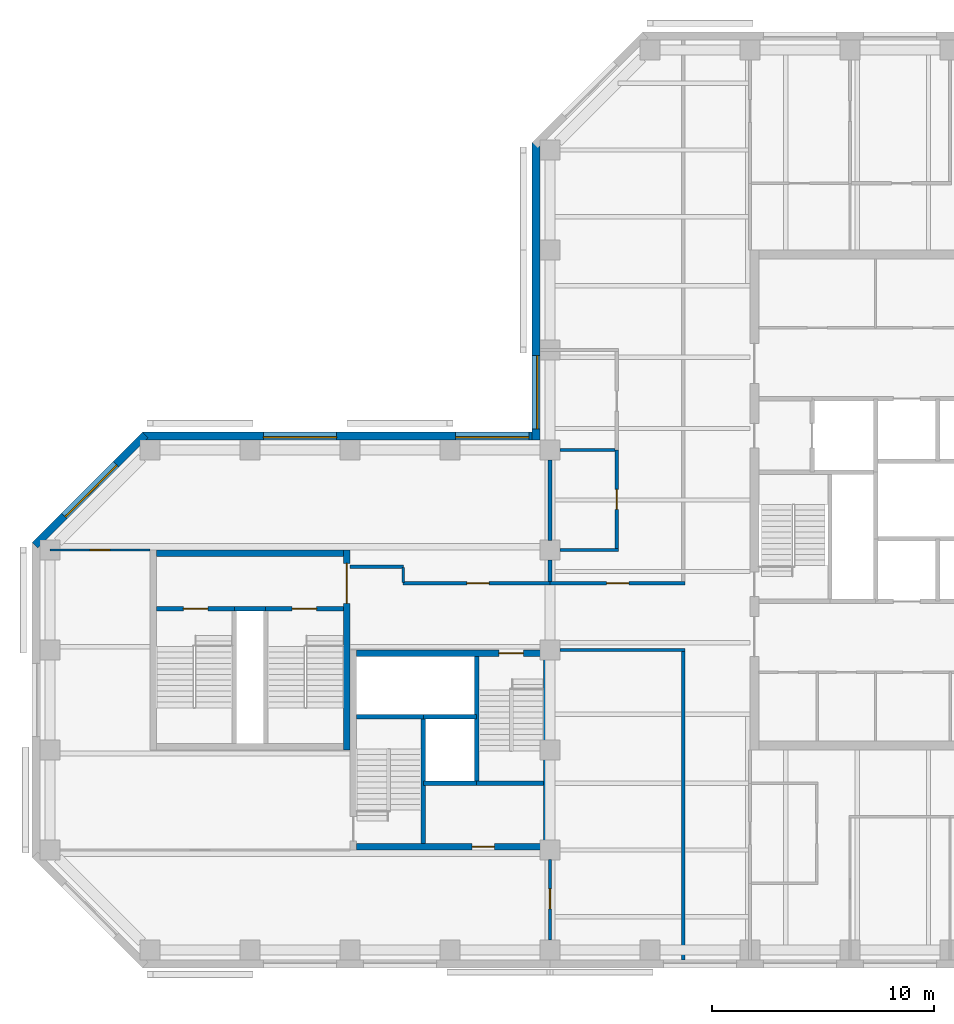
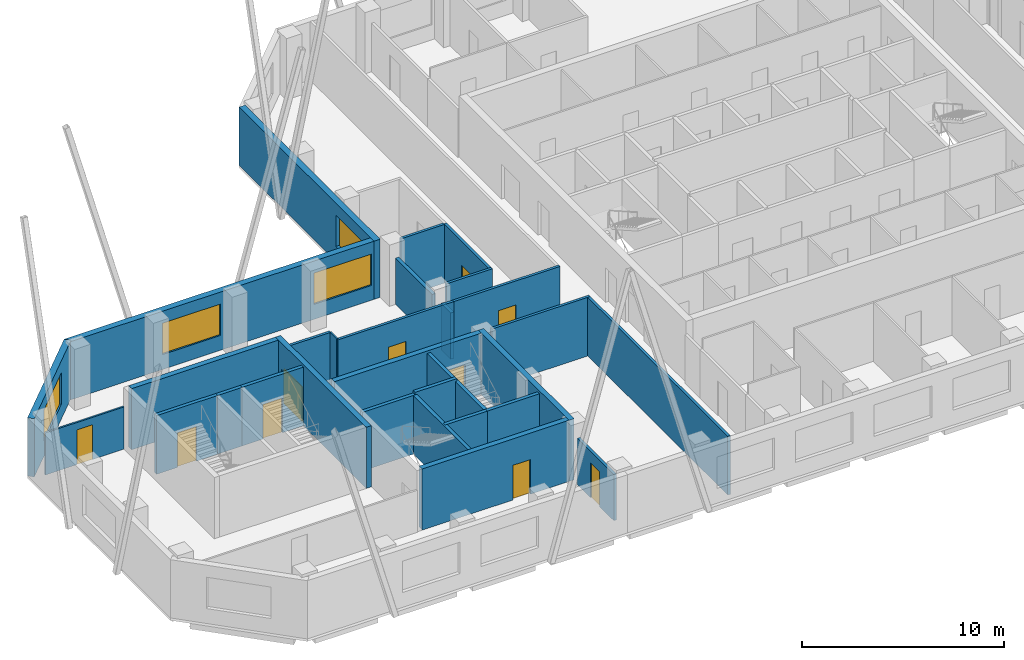
# One storey, part 3 of 9: 30 walls, 10 doors, 4 windows, 14 openings.
"""IFC4 building model written with IfcOpenShell, lengths in metres."""

from ifc_helpers import new_model, si_unit, direction, frame, frame_2d, origin, place, context, subcontext, project, spatial, rectangle, extrude, material, layer, layer_set, constituent, constituent_set, type_object, element, fill, save


model = new_model("IFC4")

# Units and contexts
model_context = context("Model", 3, precision=1e-05, world=origin(), true_north=direction((0.0, 1.0)))
body_context = subcontext(model_context, "Body", "Model", "MODEL_VIEW")
ifc_project = project(units=[si_unit("LENGTHUNIT", "METRE"), si_unit("AREAUNIT", "SQUARE_METRE"), si_unit("VOLUMEUNIT", "CUBIC_METRE"), si_unit("PLANEANGLEUNIT", "RADIAN"), si_unit("MASSUNIT", "GRAM", prefix="KILO")], contexts=[model_context])

# Site, building, storey
site_placement = place(None, origin())
site = spatial("IfcSite", under=ifc_project, at=site_placement, CompositionType="ELEMENT")
building_placement = place(site_placement, origin())
building = spatial("IfcBuilding", under=site, at=building_placement, Name="Quoin Convention Tower", CompositionType="ELEMENT")
storey_placement = place(building_placement, frame((0.0, 0.0, 203.199951171875)))
storey = spatial("IfcBuildingStorey", under=building, at=storey_placement, Name="L53", CompositionType="ELEMENT", Elevation=203.199951171875)

# Walls
ifc_material_1 = material(Name="Plasterboard")
ifc_layer_1 = layer(ifc_material_1, 0.012451171875, Name="Finish")
ifc_material_2 = material(Name="Steel stud framing", Category="steel")
ifc_layer_2 = layer(ifc_material_2, 0.125, Name="Structure")
ifc_layer_3 = layer(ifc_material_1, 0.012451171875, Name="Finish")
ifc_layer_set_1 = layer_set([ifc_layer_1, ifc_layer_2, ifc_layer_3], Name="Steel stud framing")
wall_type_1 = type_object("IfcWallType", Name="Acoustic partition 150", PredefinedType="PARTITIONING", material=ifc_layer_set_1)
wall_1_placement = place(storey_placement, frame((36.449951171875, 58.5, 0.0), z_axis=(0.0, 0.0, 1.0), x_axis=(1.0, 0.0, 0.0)))
element("IfcWall", 1, at=wall_1_placement, inside=storey, type_object=wall_type_1, Name="pw-L53-021", PredefinedType="PARTITIONING", context=body_context, shape_type="SweptSolid", body=[
    extrude(rectangle(XDim=2.625, YDim=0.14990234375, at=frame_2d((1.3125, 0.0))), origin(), (0.0, 0.0, 1.0), 3.550048828125),
])
wall_2_placement = place(storey_placement, frame((36.449951171875, 63.0, 0.0), z_axis=(0.0, 0.0, 1.0), x_axis=(1.0, 0.0, 0.0)))
element("IfcWall", 2, at=wall_2_placement, inside=storey, type_object=wall_type_1, Name="pw-L53-025", PredefinedType="PARTITIONING", context=body_context, shape_type="SweptSolid", body=[
    extrude(rectangle(XDim=2.47509765625, YDim=0.14990234375, at=frame_2d((1.237548828125, 0.0))), origin(), (0.0, 0.0, 1.0), 3.550048828125),
])

# Wall, opening, door
wall_3_placement = place(storey_placement, frame((39.0, 58.574951171875, 0.0), z_axis=(0.0, 0.0, 1.0), x_axis=(0.0, 1.0, 0.0)))
wall_3 = element("IfcWall", 3, at=wall_3_placement, inside=storey, type_object=wall_type_1, Name="pw-L53-066", PredefinedType="PARTITIONING", context=body_context, shape_type="SweptSolid", body=[
    extrude(rectangle(XDim=4.425048828125, YDim=0.14990234375, at=frame_2d((2.21240234375, 0.0))), origin(), (0.0, 0.0, 1.0), 3.550048828125),
])
opening_1_placement = place(wall_3_placement, frame((1.75, 0.0, 0.0)))
opening_1 = element("IfcOpeningElement", 4, at=opening_1_placement, cuts=wall_3, Name="Opening DOH8-20", PredefinedType="OPENING", context=body_context, shape_type="SweptSolid", body=[
    extrude(rectangle(XDim=0.89990234375, YDim=2.10009765625, at=frame_2d((0.449951171875, 1.050048828125))), frame((0.0, 0.0849609375, 0.0), z_axis=(0.0, -1.0, 0.0), x_axis=(1.0, 0.0, 0.0)), (0.0, 0.0, 1.0), 0.169921875),
])
ifc_material_3 = material(Name="Steel door leaf", Category="steel")
door_type_1 = type_object("IfcDoorType", Name="Office door 900 x 2100", OperationType="SINGLE_SWING_RIGHT", PredefinedType="DOOR", material=ifc_material_3)
door_1_placement = place(opening_1_placement, frame((0.89990234375, 0.0, 0.0), z_axis=(0.0, 0.0, 1.0), x_axis=(-1.0, 0.0, 0.0)))
door_1 = element("IfcDoor", 5, at=door_1_placement, inside=storey, type_object=door_type_1, Name="dr-L53-12", OperationType="SINGLE_SWING_LEFT", OverallHeight=2.10009765625, OverallWidth=0.89990234375, PredefinedType="DOOR", context=body_context, shape_type="SweptSolid", body=[
    extrude(rectangle(XDim=0.89990234375, YDim=2.10009765625, at=frame_2d((0.449951171875, 1.050048828125))), frame((0.0, 0.02490234375, 0.0), z_axis=(0.0, -1.0, 0.0), x_axis=(1.0, 0.0, 0.0)), (0.0, 0.0, 1.0), 0.050048828125),
])
fill(opening_1, door_1)

# Wall, opening, window
ifc_material_4 = material(Name="Brick masonry", Category="masonry")
ifc_layer_4 = layer(ifc_material_4, 0.35009765625)
ifc_layer_set_2 = layer_set([ifc_layer_4], Name="Brick masonry")
wall_type_2 = type_object("IfcWallType", Name="Brick facade wall", PredefinedType="STANDARD", material=ifc_layer_set_2)
wall_4_placement = place(storey_placement, frame((35.375, 76.831298828125, 0.0), z_axis=(0.0, 0.0, 1.0), x_axis=(0.0, -1.0, 0.0)))
wall_4 = element("IfcWall", 6, at=wall_4_placement, inside=storey, type_object=wall_type_2, Name="fw-L53-36000_76500", PredefinedType="STANDARD", context=body_context, shape_type="SweptSolid", body=[
    extrude(rectangle(XDim=13.38134765625, YDim=0.35009765625, at=frame_2d((6.690673828125, 0.0))), origin(), (0.0, 0.0, 1.0), 3.525146484375),
])
opening_2_placement = place(wall_4_placement, frame((9.581298828125, 0.0, 0.89990234375)))
opening_2 = element("IfcOpeningElement", 7, at=opening_2_placement, cuts=wall_4, Name="Opening W-02", PredefinedType="OPENING", context=body_context, shape_type="SweptSolid", body=[
    extrude(rectangle(XDim=3.300048828125, YDim=1.89990234375, at=frame_2d((1.64990234375, 0.949951171875))), frame((0.0, 0.18505859375, 0.0), z_axis=(0.0, -1.0, 0.0), x_axis=(1.0, 0.0, 0.0)), (0.0, 0.0, 1.0), 0.3701171875),
])
ifc_material_5 = material(Name="Aluminium", Category="aluminium")
ifc_constituent_1 = constituent(ifc_material_5, Name="Frame")
ifc_material_6 = material(Name="Insulated glass", Category="glass")
ifc_constituent_2 = constituent(ifc_material_6, Name="Glazing")
ifc_constituent_set = constituent_set(constituents=[ifc_constituent_1, ifc_constituent_2], Name="Aluminium")
window_type = type_object("IfcWindowType", Name="Office window", PartitioningType="DOUBLE_PANEL_VERTICAL", PredefinedType="WINDOW", material=ifc_constituent_set)
window_1_placement = place(opening_2_placement, origin())
window_1 = element("IfcWindow", 8, at=window_1_placement, inside=storey, type_object=window_type, Name="win-L53-35375_65250", OverallHeight=1.89990234375, OverallWidth=3.300048828125, PartitioningType="SINGLE_PANEL", PredefinedType="WINDOW", context=body_context, shape_type="SweptSolid", body=[
    extrude(rectangle(XDim=3.300048828125, YDim=1.89990234375, at=frame_2d((1.64990234375, 0.949951171875))), frame((0.0, 0.0849609375, 0.0), z_axis=(0.0, -1.0, 0.0), x_axis=(1.0, 0.0, 0.0)), (0.0, 0.0, 1.0), 0.06005859375),
])
fill(opening_2, window_1)

# Wall, openings, windows
wall_5_placement = place(storey_placement, frame((35.550048828125, 63.625, 0.0), z_axis=(0.0, 0.0, 1.0), x_axis=(-1.0, 0.0, 0.0)))
wall_5 = element("IfcWall", 9, at=wall_5_placement, inside=storey, type_object=wall_type_2, Name="fw-L53-36000_63000", PredefinedType="STANDARD", context=body_context, shape_type="SweptSolid", body=[
    extrude(rectangle(XDim=17.88134765625, YDim=0.35009765625, at=frame_2d((8.940673828125, 0.0))), origin(), (0.0, 0.0, 1.0), 3.525146484375),
])
opening_3_placement = place(wall_5_placement, frame((0.5, 0.0, 0.89990234375)))
opening_3 = element("IfcOpeningElement", 10, at=opening_3_placement, cuts=wall_5, Name="Opening W-02", PredefinedType="OPENING", context=body_context, shape_type="SweptSolid", body=[
    extrude(rectangle(XDim=3.300048828125, YDim=1.89990234375, at=frame_2d((1.64990234375, 0.949951171875))), frame((0.0, 0.18505859375, 0.0), z_axis=(0.0, -1.0, 0.0), x_axis=(1.0, 0.0, 0.0)), (0.0, 0.0, 1.0), 0.3701171875),
])
opening_4_placement = place(wall_5_placement, frame((9.14990234375, 0.0, 0.89990234375)))
opening_4 = element("IfcOpeningElement", 11, at=opening_4_placement, cuts=wall_5, Name="Opening W-02", PredefinedType="OPENING", context=body_context, shape_type="SweptSolid", body=[
    extrude(rectangle(XDim=3.300048828125, YDim=1.89990234375, at=frame_2d((1.64990234375, 0.949951171875))), frame((0.0, 0.18505859375, 0.0), z_axis=(0.0, -1.0, 0.0), x_axis=(1.0, 0.0, 0.0)), (0.0, 0.0, 1.0), 0.3701171875),
])
window_2_placement = place(opening_3_placement, origin())
window_2 = element("IfcWindow", 12, at=window_2_placement, inside=storey, type_object=window_type, Name="win-L53-33750_63625", OverallHeight=1.89990234375, OverallWidth=3.300048828125, PartitioningType="SINGLE_PANEL", PredefinedType="WINDOW", context=body_context, shape_type="SweptSolid", body=[
    extrude(rectangle(XDim=3.300048828125, YDim=1.89990234375, at=frame_2d((1.64990234375, 0.949951171875))), frame((0.0, 0.0849609375, 0.0), z_axis=(0.0, -1.0, 0.0), x_axis=(1.0, 0.0, 0.0)), (0.0, 0.0, 1.0), 0.06005859375),
])
fill(opening_3, window_2)
window_3_placement = place(opening_4_placement, origin())
window_3 = element("IfcWindow", 13, at=window_3_placement, inside=storey, type_object=window_type, Name="win-L53-24750_63625", OverallHeight=1.89990234375, OverallWidth=3.300048828125, PartitioningType="SINGLE_PANEL", PredefinedType="WINDOW", context=body_context, shape_type="SweptSolid", body=[
    extrude(rectangle(XDim=3.300048828125, YDim=1.89990234375, at=frame_2d((1.64990234375, 0.949951171875))), frame((0.0, 0.0849609375, 0.0), z_axis=(0.0, -1.0, 0.0), x_axis=(1.0, 0.0, 0.0)), (0.0, 0.0, 1.0), 0.06005859375),
])
fill(opening_4, window_3)

# Wall, opening, window
wall_6_placement = place(storey_placement, frame((17.79248046875, 63.67626953125, 0.0), z_axis=(0.0, 0.0, 1.0), x_axis=(-0.707106781187, -0.707106781187, 0.0)))
wall_6 = element("IfcWall", 14, at=wall_6_placement, inside=storey, type_object=wall_type_2, Name="fw-L53-18000_63000", PredefinedType="STANDARD", context=body_context, shape_type="SweptSolid", body=[
    extrude(rectangle(XDim=7.02685546875, YDim=0.35009765625, at=frame_2d((3.513427734375, 0.0))), origin(), (0.0, 0.0, 1.0), 3.525146484375),
])
opening_5_placement = place(wall_6_placement, frame((1.86328125, 0.0, 0.89990234375)))
opening_5 = element("IfcOpeningElement", 15, at=opening_5_placement, cuts=wall_6, Name="Opening W-02", PredefinedType="OPENING", context=body_context, shape_type="SweptSolid", body=[
    extrude(rectangle(XDim=3.300048828125, YDim=1.89990234375, at=frame_2d((1.64990234375, 0.949951171875))), frame((0.0, 0.18505859375, 0.0), z_axis=(0.0, -1.0, 0.0), x_axis=(1.0, 0.0, 0.0)), (0.0, 0.0, 1.0), 0.3701171875),
])
window_4_placement = place(opening_5_placement, origin())
window_4 = element("IfcWindow", 16, at=window_4_placement, inside=storey, type_object=window_type, Name="win-L53-15308_61192", OverallHeight=1.89990234375, OverallWidth=3.300048828125, PartitioningType="SINGLE_PANEL", PredefinedType="WINDOW", context=body_context, shape_type="SweptSolid", body=[
    extrude(rectangle(XDim=3.300048828125, YDim=1.89990234375, at=frame_2d((1.64990234375, 0.949951171875))), frame((0.0, 0.0849609375, 0.0), z_axis=(0.0, -1.0, 0.0), x_axis=(1.0, 0.0, 0.0)), (0.0, 0.0, 1.0), 0.06005859375),
])
fill(opening_5, window_4)

# Walls
ifc_material_7 = material(Name="Concrete C50", Category="concrete")
ifc_layer_5 = layer(ifc_material_7, 0.199951171875)
ifc_layer_set_3 = layer_set([ifc_layer_5], Name="Concrete C50")
wall_type_3 = type_object("IfcWallType", Name="Core shaft wall", PredefinedType="SOLIDWALL", material=ifc_layer_set_3)
wall_7_placement = place(storey_placement, frame((30.300048828125, 48.0, 0.0), z_axis=(0.0, 0.0, 1.0), x_axis=(1.0, 0.0, 0.0)))
element("IfcWall", 17, at=wall_7_placement, inside=storey, type_object=wall_type_3, Name="cr-P2-L53-h3000_3300", PredefinedType="SOLIDWALL", context=body_context, shape_type="SweptSolid", body=[
    extrude(rectangle(XDim=2.39990234375, YDim=0.199951171875, at=frame_2d((1.199951171875, 0.0))), origin(), (0.0, 0.0, 1.0), 3.550048828125),
])
for number, where, z_axis, x_axis, name in (
    (18, (32.699951171875, 48.0, 0.0), (0.0, 0.0, 1.0), (1.0, 0.0, 0.0), "cr-P2-L53-h3000_5700"),
    (19, (27.300048828125, 51.0, 0.0), (0.0, 0.0, 1.0), (1.0, 0.0, 0.0), "cr-P2-L53-h6000_300"),
):
    element("IfcWall", number, at=place(storey_placement, frame(where, z_axis=z_axis, x_axis=x_axis)), inside=storey, type_object=wall_type_3, Name=name, PredefinedType="SOLIDWALL", context=body_context, shape_type="SweptSolid", body=[
        extrude(rectangle(XDim=3.0, YDim=0.199951171875, at=frame_2d((1.5, 0.0))), origin(), (0.0, 0.0, 1.0), 3.550048828125),
    ])
for number, where, z_axis, x_axis, name in (
    (20, (30.300048828125, 45.300048828125, 0.0), (0.0, 0.0, 1.0), (0.0, 1.0, 0.0), "cr-P2-L53-v3300_300"),
    (21, (32.699951171875, 48.0, 0.0), (0.0, 0.0, 1.0), (0.0, 1.0, 0.0), "cr-P2-L53-v5700_3000"),
):
    element("IfcWall", number, at=place(storey_placement, frame(where, z_axis=z_axis, x_axis=x_axis)), inside=storey, type_object=wall_type_3, Name=name, PredefinedType="SOLIDWALL", context=body_context, shape_type="SweptSolid", body=[
        extrude(rectangle(XDim=5.699951171875, YDim=0.199951171875, at=frame_2d((2.85009765625, 0.0))), origin(), (0.0, 0.0, 1.0), 3.550048828125),
    ])
wall_8_placement = place(storey_placement, frame((21.800048828125, 55.85009765625, 0.0), z_axis=(0.0, 0.0, 1.0), x_axis=(1.0, 0.0, 0.0)))
element("IfcWall", 22, at=wall_8_placement, inside=storey, type_object=wall_type_3, Name="cr-P6-L53-h6350_3800", PredefinedType="SOLIDWALL", context=body_context, shape_type="SweptSolid", body=[
    extrude(rectangle(XDim=1.39990234375, YDim=0.199951171875, at=frame_2d((0.699951171875, 0.0))), origin(), (0.0, 0.0, 1.0), 3.550048828125),
])

# Wall, opening, door
wall_9_placement = place(storey_placement, frame((18.300048828125, 55.85009765625, 0.0), z_axis=(0.0, 0.0, 1.0), x_axis=(1.0, 0.0, 0.0)))
wall_9 = element("IfcWall", 23, at=wall_9_placement, inside=storey, type_object=wall_type_3, Name="cr-P6-L53-h6350_300", PredefinedType="SOLIDWALL", context=body_context, shape_type="SweptSolid", body=[
    extrude(rectangle(XDim=3.5, YDim=0.199951171875, at=frame_2d((1.75, 0.0))), origin(), (0.0, 0.0, 1.0), 3.550048828125),
])
opening_6_placement = place(wall_9_placement, frame((1.199951171875, 0.0, 0.0)))
opening_6 = element("IfcOpeningElement", 24, at=opening_6_placement, cuts=wall_9, Name="Opening SD11", PredefinedType="OPENING", context=body_context, shape_type="SweptSolid", body=[
    extrude(rectangle(XDim=1.10009765625, YDim=2.10009765625, at=frame_2d((0.550048828125, 1.050048828125))), frame((0.0, 0.10986328125, 0.0), z_axis=(0.0, -1.0, 0.0), x_axis=(1.0, 0.0, 0.0)), (0.0, 0.0, 1.0), 0.219970703125),
])
door_type_2 = type_object("IfcDoorType", Name="Stair door 1100 x 2100", OperationType="SINGLE_SWING_RIGHT", PredefinedType="DOOR", material=ifc_material_3)
door_2_placement = place(opening_6_placement, origin())
door_2 = element("IfcDoor", 25, at=door_2_placement, inside=storey, type_object=door_type_2, Name="cd-P6-L53-SA-R2-SD11", OperationType="SINGLE_SWING_RIGHT", OverallHeight=2.10009765625, OverallWidth=1.10009765625, PredefinedType="DOOR", context=body_context, shape_type="SweptSolid", body=[
    extrude(rectangle(XDim=1.10009765625, YDim=2.10009765625, at=frame_2d((0.550048828125, 1.050048828125))), frame((0.0, 0.02490234375, 0.0), z_axis=(0.0, -1.0, 0.0), x_axis=(1.0, 0.0, 0.0)), (0.0, 0.0, 1.0), 0.050048828125),
])
fill(opening_6, door_2)

wall_10_placement = place(storey_placement, frame((23.199951171875, 55.85009765625, 0.0), z_axis=(0.0, 0.0, 1.0), x_axis=(1.0, 0.0, 0.0)))
wall_10 = element("IfcWall", 26, at=wall_10_placement, inside=storey, type_object=wall_type_3, Name="cr-P6-L53-h6350_5200", PredefinedType="SOLIDWALL", context=body_context, shape_type="SweptSolid", body=[
    extrude(rectangle(XDim=3.5, YDim=0.199951171875, at=frame_2d((1.75, 0.0))), origin(), (0.0, 0.0, 1.0), 3.550048828125),
])
opening_7_placement = place(wall_10_placement, frame((1.199951171875, 0.0, 0.0)))
opening_7 = element("IfcOpeningElement", 27, at=opening_7_placement, cuts=wall_10, Name="Opening SD12", PredefinedType="OPENING", context=body_context, shape_type="SweptSolid", body=[
    extrude(rectangle(XDim=1.10009765625, YDim=2.10009765625, at=frame_2d((0.550048828125, 1.050048828125))), frame((0.0, 0.10986328125, 0.0), z_axis=(0.0, -1.0, 0.0), x_axis=(1.0, 0.0, 0.0)), (0.0, 0.0, 1.0), 0.219970703125),
])
door_3_placement = place(opening_7_placement, origin())
door_3 = element("IfcDoor", 28, at=door_3_placement, inside=storey, type_object=door_type_2, Name="cd-P6-L53-SB-R2-SD12", OperationType="SINGLE_SWING_RIGHT", OverallHeight=2.10009765625, OverallWidth=1.10009765625, PredefinedType="DOOR", context=body_context, shape_type="SweptSolid", body=[
    extrude(rectangle(XDim=1.10009765625, YDim=2.10009765625, at=frame_2d((0.550048828125, 1.050048828125))), frame((0.0, 0.02490234375, 0.0), z_axis=(0.0, -1.0, 0.0), x_axis=(1.0, 0.0, 0.0)), (0.0, 0.0, 1.0), 0.050048828125),
])
fill(opening_7, door_3)

# Walls
ifc_layer_6 = layer(ifc_material_7, 0.199951171875)
ifc_layer_set_4 = layer_set([ifc_layer_6], Name="Concrete C50")
wall_type_4 = type_object("IfcWallType", Name="Core shaft wall to the floor level over", PredefinedType="SOLIDWALL", material=ifc_layer_set_4)
wall_11_placement = place(storey_placement, frame((30.300048828125, 51.0, 0.0), z_axis=(0.0, 0.0, 1.0), x_axis=(1.0, 0.0, 0.0)))
element("IfcWall", 29, at=wall_11_placement, inside=storey, type_object=wall_type_4, Name="cr-P2-L53-h6000_3300", PredefinedType="SOLIDWALL", context=body_context, shape_type="SweptSolid", body=[
    extrude(rectangle(XDim=2.39990234375, YDim=0.199951171875, at=frame_2d((1.199951171875, 0.0))), origin(), (0.0, 0.0, 1.0), 3.699951171875),
])
ifc_layer_7 = layer(ifc_material_1, 0.012451171875, Name="Finish")
ifc_layer_8 = layer(ifc_material_2, 0.125, Name="Structure")
ifc_layer_9 = layer(ifc_material_1, 0.012451171875, Name="Finish")
ifc_layer_set_5 = layer_set([ifc_layer_7, ifc_layer_8, ifc_layer_9], Name="Steel stud framing")
wall_type_5 = type_object("IfcWallType", Name="Corridor wall 150", PredefinedType="PARTITIONING", material=ifc_layer_set_5)
wall_12_placement = place(storey_placement, frame((36.449951171875, 54.0, 0.0), z_axis=(0.0, 0.0, 1.0), x_axis=(1.0, 0.0, 0.0)))
element("IfcWall", 30, at=wall_12_placement, inside=storey, type_object=wall_type_5, Name="pw-L53-017", PredefinedType="PARTITIONING", context=body_context, shape_type="SweptSolid", body=[
    extrude(rectangle(XDim=5.625, YDim=0.14990234375, at=frame_2d((2.8125, 0.0))), origin(), (0.0, 0.0, 1.0), 3.550048828125),
])

# Wall, opening, door
wall_13_placement = place(storey_placement, frame((29.3798828125, 57.0, 0.0), z_axis=(0.0, 0.0, 1.0), x_axis=(1.0, 0.0, 0.0)))
wall_13 = element("IfcWall", 31, at=wall_13_placement, inside=storey, type_object=wall_type_5, Name="pw-L53-019", PredefinedType="PARTITIONING", context=body_context, shape_type="SweptSolid", body=[
    extrude(rectangle(XDim=6.6201171875, YDim=0.14990234375, at=frame_2d((3.31005859375, 0.0))), origin(), (0.0, 0.0, 1.0), 3.550048828125),
])
opening_8_placement = place(wall_13_placement, frame((2.8798828125, 0.0, 0.0)))
opening_8 = element("IfcOpeningElement", 32, at=opening_8_placement, cuts=wall_13, Name="Opening DOH8-05", PredefinedType="OPENING", context=body_context, shape_type="SweptSolid", body=[
    extrude(rectangle(XDim=1.0, YDim=2.10009765625, at=frame_2d((0.5, 1.050048828125))), frame((0.0, 0.0849609375, 0.0), z_axis=(0.0, -1.0, 0.0), x_axis=(1.0, 0.0, 0.0)), (0.0, 0.0, 1.0), 0.169921875),
])
door_type_3 = type_object("IfcDoorType", Name="Tenancy entrance door 1000 x 2100", OperationType="DOUBLE_DOOR_SINGLE_SWING", PredefinedType="DOOR", material=ifc_material_3)
door_4_placement = place(opening_8_placement, origin())
door_4 = element("IfcDoor", 33, at=door_4_placement, inside=storey, type_object=door_type_3, Name="dr-L53-w01", OperationType="DOUBLE_DOOR_SINGLE_SWING", OverallHeight=2.10009765625, OverallWidth=1.0, PredefinedType="DOOR", context=body_context, shape_type="SweptSolid", body=[
    extrude(rectangle(XDim=1.0, YDim=2.10009765625, at=frame_2d((0.5, 1.050048828125))), frame((0.0, 0.02490234375, 0.0), z_axis=(0.0, -1.0, 0.0), x_axis=(1.0, 0.0, 0.0)), (0.0, 0.0, 1.0), 0.050048828125),
])
fill(opening_8, door_4)

wall_14_placement = place(storey_placement, frame((36.0, 57.0, 0.0), z_axis=(0.0, 0.0, 1.0), x_axis=(1.0, 0.0, 0.0)))
wall_14 = element("IfcWall", 34, at=wall_14_placement, inside=storey, type_object=wall_type_5, Name="pw-L53-020", PredefinedType="PARTITIONING", context=body_context, shape_type="SweptSolid", body=[
    extrude(rectangle(XDim=6.074951171875, YDim=0.14990234375, at=frame_2d((3.03759765625, 0.0))), origin(), (0.0, 0.0, 1.0), 3.550048828125),
])
opening_9_placement = place(wall_14_placement, frame((2.550048828125, 0.0, 0.0)))
opening_9 = element("IfcOpeningElement", 35, at=opening_9_placement, cuts=wall_14, Name="Opening DOH8-06", PredefinedType="OPENING", context=body_context, shape_type="SweptSolid", body=[
    extrude(rectangle(XDim=1.0, YDim=2.10009765625, at=frame_2d((0.5, 1.050048828125))), frame((0.0, 0.0849609375, 0.0), z_axis=(0.0, -1.0, 0.0), x_axis=(1.0, 0.0, 0.0)), (0.0, 0.0, 1.0), 0.169921875),
])
door_5_placement = place(opening_9_placement, origin())
door_5 = element("IfcDoor", 36, at=door_5_placement, inside=storey, type_object=door_type_3, Name="dr-L53-11", OperationType="DOUBLE_DOOR_SINGLE_SWING", OverallHeight=2.10009765625, OverallWidth=1.0, PredefinedType="DOOR", context=body_context, shape_type="SweptSolid", body=[
    extrude(rectangle(XDim=1.0, YDim=2.10009765625, at=frame_2d((0.5, 1.050048828125))), frame((0.0, 0.02490234375, 0.0), z_axis=(0.0, -1.0, 0.0), x_axis=(1.0, 0.0, 0.0)), (0.0, 0.0, 1.0), 0.050048828125),
])
fill(opening_9, door_5)

# Walls
wall_15_placement = place(storey_placement, frame((42.0, 40.050048828125, 0.0), z_axis=(0.0, 0.0, 1.0), x_axis=(0.0, 1.0, 0.0)))
element("IfcWall", 37, at=wall_15_placement, inside=storey, type_object=wall_type_5, Name="pw-L53-038", PredefinedType="PARTITIONING", context=body_context, shape_type="SweptSolid", body=[
    extrude(rectangle(XDim=13.875, YDim=0.14990234375, at=frame_2d((6.9375, 0.0))), origin(), (0.0, 0.0, 1.0), 3.550048828125),
])
wall_16_placement = place(storey_placement, frame((27.0, 57.75, 0.0), z_axis=(0.0, 0.0, 1.0), x_axis=(1.0, 0.0, 0.0)))
element("IfcWall", 38, at=wall_16_placement, inside=storey, type_object=wall_type_5, Name="pw-L53-w03", PredefinedType="PARTITIONING", context=body_context, shape_type="SweptSolid", body=[
    extrude(rectangle(XDim=2.39990234375, YDim=0.14990234375, at=frame_2d((1.199951171875, 0.0))), origin(), (0.0, 0.0, 1.0), 3.550048828125),
])

# Wall, opening, door
ifc_layer_10 = layer(ifc_material_1, 0.012451171875, Name="Finish")
ifc_layer_11 = layer(ifc_material_2, 0.125, Name="Structure")
ifc_layer_12 = layer(ifc_material_1, 0.012451171875, Name="Finish")
ifc_layer_set_6 = layer_set([ifc_layer_10, ifc_layer_11, ifc_layer_12], Name="Steel stud framing")
wall_type_6 = type_object("IfcWallType", Name="Corridor wall 150 under beam 750", PredefinedType="PARTITIONING", material=ifc_layer_set_6)
wall_17_placement = place(storey_placement, frame((36.0, 40.949951171875, 0.0), z_axis=(0.0, 0.0, 1.0), x_axis=(0.0, 1.0, 0.0)))
wall_17 = element("IfcWall", 39, at=wall_17_placement, inside=storey, type_object=wall_type_6, Name="pw-L53-046", PredefinedType="PARTITIONING", context=body_context, shape_type="SweptSolid", body=[
    extrude(rectangle(XDim=3.630126953125, YDim=0.14990234375, at=frame_2d((1.81494140625, 0.0))), origin(), (0.0, 0.0, 1.0), 2.800048828125),
])
opening_10_placement = place(wall_17_placement, frame((1.39990234375, 0.0, 0.0)))
opening_10 = element("IfcOpeningElement", 40, at=opening_10_placement, cuts=wall_17, Name="Opening DOH8-12", PredefinedType="OPENING", context=body_context, shape_type="SweptSolid", body=[
    extrude(rectangle(XDim=0.89990234375, YDim=2.10009765625, at=frame_2d((0.449951171875, 1.050048828125))), frame((0.0, 0.0849609375, 0.0), z_axis=(0.0, -1.0, 0.0), x_axis=(1.0, 0.0, 0.0)), (0.0, 0.0, 1.0), 0.169921875),
])
door_6_placement = place(opening_10_placement, origin())
door_6 = element("IfcDoor", 41, at=door_6_placement, inside=storey, type_object=door_type_1, Name="dr-L53-01", OperationType="SINGLE_SWING_RIGHT", OverallHeight=2.10009765625, OverallWidth=0.89990234375, PredefinedType="DOOR", context=body_context, shape_type="SweptSolid", body=[
    extrude(rectangle(XDim=0.89990234375, YDim=2.10009765625, at=frame_2d((0.449951171875, 1.050048828125))), frame((0.0, 0.02490234375, 0.0), z_axis=(0.0, -1.0, 0.0), x_axis=(1.0, 0.0, 0.0)), (0.0, 0.0, 1.0), 0.050048828125),
])
fill(opening_10, door_6)

ifc_layer_13 = layer(ifc_material_7, 0.300048828125)
ifc_layer_set_7 = layer_set([ifc_layer_13], Name="Concrete C50")
wall_type_7 = type_object("IfcWallType", Name="RC CORE WALL 300 C50", PredefinedType="SHEAR", material=ifc_layer_set_7)
wall_18_placement = place(storey_placement, frame((27.300048828125, 45.14990234375, 0.0), z_axis=(0.0, 0.0, 1.0), x_axis=(1.0, 0.0, 0.0)))
wall_18 = element("IfcWall", 42, at=wall_18_placement, inside=storey, type_object=wall_type_7, Name="cwl-P2-L53-S", PredefinedType="SHEAR", context=body_context, shape_type="SweptSolid", body=[
    extrude(rectangle(XDim=8.39990234375, YDim=0.300048828125, at=frame_2d((4.199951171875, 0.0))), origin(), (0.0, 0.0, 1.0), 3.699951171875),
])
opening_11_placement = place(wall_18_placement, frame((5.199951171875, 0.0, 0.0)))
opening_11 = element("IfcOpeningElement", 43, at=opening_11_placement, cuts=wall_18, Name="Opening DCV0-60", PredefinedType="OPENING", context=body_context, shape_type="SweptSolid", body=[
    extrude(rectangle(XDim=1.0, YDim=2.10009765625, at=frame_2d((0.5, 1.050048828125))), frame((0.0, 0.159912109375, 0.0), z_axis=(0.0, -1.0, 0.0), x_axis=(1.0, 0.0, 0.0)), (0.0, 0.0, 1.0), 0.320068359375),
])
door_type_4 = type_object("IfcDoorType", Name="Service door 1000 x 2100", OperationType="SINGLE_SWING_LEFT", PredefinedType="DOOR", material=ifc_material_3)
door_7_placement = place(opening_11_placement, frame((1.0, 0.0, 0.0), z_axis=(0.0, 0.0, 1.0), x_axis=(-1.0, 0.0, 0.0)))
door_7 = element("IfcDoor", 44, at=door_7_placement, inside=storey, type_object=door_type_4, Name="cd-P2-L53-R2-S", OperationType="SINGLE_SWING_LEFT", OverallHeight=2.10009765625, OverallWidth=1.0, PredefinedType="DOOR", context=body_context, shape_type="SweptSolid", body=[
    extrude(rectangle(XDim=1.0, YDim=2.10009765625, at=frame_2d((0.5, 1.050048828125))), frame((0.0, 0.02490234375, 0.0), z_axis=(0.0, -1.0, 0.0), x_axis=(1.0, 0.0, 0.0)), (0.0, 0.0, 1.0), 0.050048828125),
])
fill(opening_11, door_7)

wall_19_placement = place(storey_placement, frame((27.300048828125, 53.85009765625, 0.0), z_axis=(0.0, 0.0, 1.0), x_axis=(1.0, 0.0, 0.0)))
wall_19 = element("IfcWall", 45, at=wall_19_placement, inside=storey, type_object=wall_type_7, Name="cwl-P2-L53-N", PredefinedType="SHEAR", context=body_context, shape_type="SweptSolid", body=[
    extrude(rectangle(XDim=8.39990234375, YDim=0.300048828125, at=frame_2d((4.199951171875, 0.0))), origin(), (0.0, 0.0, 1.0), 3.699951171875),
])
opening_12_placement = place(wall_19_placement, frame((6.39990234375, 0.0, 0.0)))
opening_12 = element("IfcOpeningElement", 46, at=opening_12_placement, cuts=wall_19, Name="Opening SD4", PredefinedType="OPENING", context=body_context, shape_type="SweptSolid", body=[
    extrude(rectangle(XDim=1.10009765625, YDim=2.10009765625, at=frame_2d((0.550048828125, 1.050048828125))), frame((0.0, 0.159912109375, 0.0), z_axis=(0.0, -1.0, 0.0), x_axis=(1.0, 0.0, 0.0)), (0.0, 0.0, 1.0), 0.320068359375),
])
door_8_placement = place(opening_12_placement, frame((1.10009765625, 0.0, 0.0), z_axis=(0.0, 0.0, 1.0), x_axis=(-1.0, 0.0, 0.0)))
door_8 = element("IfcDoor", 47, at=door_8_placement, inside=storey, type_object=door_type_2, Name="cd-P2-L53-SB-N", OperationType="SINGLE_SWING_LEFT", OverallHeight=2.10009765625, OverallWidth=1.10009765625, PredefinedType="DOOR", context=body_context, shape_type="SweptSolid", body=[
    extrude(rectangle(XDim=1.10009765625, YDim=2.10009765625, at=frame_2d((0.550048828125, 1.050048828125))), frame((0.0, 0.02490234375, 0.0), z_axis=(0.0, -1.0, 0.0), x_axis=(1.0, 0.0, 0.0)), (0.0, 0.0, 1.0), 0.050048828125),
])
fill(opening_12, door_8)

# Walls
wall_20_placement = place(storey_placement, frame((35.85009765625, 45.0, 0.0), z_axis=(0.0, 0.0, 1.0), x_axis=(0.0, 1.0, 0.0)))
element("IfcWall", 48, at=wall_20_placement, inside=storey, type_object=wall_type_7, Name="cwl-P2-L53-E", PredefinedType="SHEAR", context=body_context, shape_type="SweptSolid", body=[
    extrude(rectangle(XDim=9.0, YDim=0.300048828125, at=frame_2d((4.5, 0.0))), origin(), (0.0, 0.0, 1.0), 3.699951171875),
])
wall_21_placement = place(storey_placement, frame((18.300048828125, 58.35009765625, 0.0), z_axis=(0.0, 0.0, 1.0), x_axis=(1.0, 0.0, 0.0)))
element("IfcWall", 49, at=wall_21_placement, inside=storey, type_object=wall_type_7, Name="cwl-P6-L53-N", PredefinedType="SHEAR", context=body_context, shape_type="SweptSolid", body=[
    extrude(rectangle(XDim=8.39990234375, YDim=0.300048828125, at=frame_2d((4.199951171875, 0.0))), origin(), (0.0, 0.0, 1.0), 3.699951171875),
])

# Wall, opening, door
wall_22_placement = place(storey_placement, frame((26.85009765625, 49.5, 0.0), z_axis=(0.0, 0.0, 1.0), x_axis=(0.0, 1.0, 0.0)))
wall_22 = element("IfcWall", 50, at=wall_22_placement, inside=storey, type_object=wall_type_7, Name="cwl-P6-L53-E", PredefinedType="SHEAR", context=body_context, shape_type="SweptSolid", body=[
    extrude(rectangle(XDim=9.0, YDim=0.300048828125, at=frame_2d((4.5, 0.0))), origin(), (0.0, 0.0, 1.0), 3.699951171875),
])
opening_13_placement = place(wall_22_placement, frame((6.60009765625, 0.0, 0.0)))
opening_13 = element("IfcOpeningElement", 51, at=opening_13_placement, cuts=wall_22, Name="Opening DCV0-64", PredefinedType="OPENING", context=body_context, shape_type="SweptSolid", body=[
    extrude(rectangle(XDim=1.800048828125, YDim=2.10009765625, at=frame_2d((0.89990234375, 1.050048828125))), frame((0.0, 0.159912109375, 0.0), z_axis=(0.0, -1.0, 0.0), x_axis=(1.0, 0.0, 0.0)), (0.0, 0.0, 1.0), 0.320068359375),
])
door_type_5 = type_object("IfcDoorType", Name="Goods lobby door 1800 x 2100", OperationType="SINGLE_SWING_LEFT", PredefinedType="DOOR", material=ifc_material_3)
door_9_placement = place(opening_13_placement, origin())
door_9 = element("IfcDoor", 52, at=door_9_placement, inside=storey, type_object=door_type_5, Name="cd-P6-L53-R2-E", OperationType="SINGLE_SWING_LEFT", OverallHeight=2.10009765625, OverallWidth=1.800048828125, PredefinedType="DOOR", context=body_context, shape_type="SweptSolid", body=[
    extrude(rectangle(XDim=1.800048828125, YDim=2.10009765625, at=frame_2d((0.89990234375, 1.050048828125))), frame((0.0, 0.02490234375, 0.0), z_axis=(0.0, -1.0, 0.0), x_axis=(1.0, 0.0, 0.0)), (0.0, 0.0, 1.0), 0.050048828125),
])
fill(opening_13, door_9)

# Wall
ifc_layer_14 = layer(ifc_material_1, 0.012451171875, Name="Finish")
ifc_layer_15 = layer(ifc_material_2, 0.074951171875, Name="Structure")
ifc_layer_16 = layer(ifc_material_1, 0.012451171875, Name="Finish")
ifc_layer_set_8 = layer_set([ifc_layer_14, ifc_layer_15, ifc_layer_16], Name="Steel stud framing")
wall_type_8 = type_object("IfcWallType", Name="Stud partition 100", PredefinedType="PARTITIONING", material=ifc_layer_set_8)
wall_23_placement = place(storey_placement, frame((29.39990234375, 57.715087890625, 0.0), z_axis=(0.0, 0.0, 1.0), x_axis=(0.0, -1.0, 0.0)))
element("IfcWall", 53, at=wall_23_placement, inside=storey, type_object=wall_type_8, Name="pw-L53-w04", PredefinedType="PARTITIONING", context=body_context, shape_type="SweptSolid", body=[
    extrude(rectangle(XDim=0.68017578125, YDim=0.10009765625, at=frame_2d((0.340087890625, 0.0))), origin(), (0.0, 0.0, 1.0), 3.550048828125),
])

# Wall, opening, door
ifc_layer_17 = layer(ifc_material_1, 0.012451171875, Name="Finish")
ifc_layer_18 = layer(ifc_material_2, 0.074951171875, Name="Structure")
ifc_layer_19 = layer(ifc_material_1, 0.012451171875, Name="Finish")
ifc_layer_set_9 = layer_set([ifc_layer_17, ifc_layer_18, ifc_layer_19], Name="Steel stud framing")
wall_type_9 = type_object("IfcWallType", Name="Stud partition 100 under beam 1000", PredefinedType="PARTITIONING", material=ifc_layer_set_9)
wall_24_placement = place(storey_placement, frame((13.5, 58.5, 0.0), z_axis=(0.0, 0.0, 1.0), x_axis=(1.0, 0.0, 0.0)))
wall_24 = element("IfcWall", 54, at=wall_24_placement, inside=storey, type_object=wall_type_9, Name="pw-L53-w01", PredefinedType="PARTITIONING", context=body_context, shape_type="SweptSolid", body=[
    extrude(rectangle(XDim=4.5, YDim=0.10009765625, at=frame_2d((2.25, 0.0))), origin(), (0.0, 0.0, 1.0), 2.550048828125),
])
opening_14_placement = place(wall_24_placement, frame((1.800048828125, 0.0, 0.0)))
opening_14 = element("IfcOpeningElement", 55, at=opening_14_placement, cuts=wall_24, Name="Opening DOH8-28", PredefinedType="OPENING", context=body_context, shape_type="SweptSolid", body=[
    extrude(rectangle(XDim=0.89990234375, YDim=2.10009765625, at=frame_2d((0.449951171875, 1.050048828125))), frame((0.0, 0.06005859375, 0.0), z_axis=(0.0, -1.0, 0.0), x_axis=(1.0, 0.0, 0.0)), (0.0, 0.0, 1.0), 0.1201171875),
])
door_10_placement = place(opening_14_placement, origin())
door_10 = element("IfcDoor", 56, at=door_10_placement, inside=storey, type_object=door_type_1, Name="dr-L53-w02", OperationType="SINGLE_SWING_RIGHT", OverallHeight=2.10009765625, OverallWidth=0.89990234375, PredefinedType="DOOR", context=body_context, shape_type="SweptSolid", body=[
    extrude(rectangle(XDim=0.89990234375, YDim=2.10009765625, at=frame_2d((0.449951171875, 1.050048828125))), frame((0.0, 0.02490234375, 0.0), z_axis=(0.0, -1.0, 0.0), x_axis=(1.0, 0.0, 0.0)), (0.0, 0.0, 1.0), 0.050048828125),
])
fill(opening_14, door_10)

# Walls
ifc_layer_20 = layer(ifc_material_1, 0.012451171875, Name="Finish")
ifc_layer_21 = layer(ifc_material_2, 0.175048828125, Name="Structure")
ifc_layer_22 = layer(ifc_material_1, 0.012451171875, Name="Finish")
ifc_layer_set_10 = layer_set([ifc_layer_20, ifc_layer_21, ifc_layer_22], Name="Steel stud framing")
wall_type_10 = type_object("IfcWallType", Name="Tenancy demising wall 200 under beam 750", PredefinedType="PARTITIONING", material=ifc_layer_set_10)
wall_25_placement = place(storey_placement, frame((36.0, 57.074951171875, 0.0), z_axis=(0.0, 0.0, 1.0), x_axis=(0.0, 1.0, 0.0)))
element("IfcWall", 57, at=wall_25_placement, inside=storey, type_object=wall_type_10, Name="pw-L53-063", PredefinedType="PARTITIONING", context=body_context, shape_type="SweptSolid", body=[
    extrude(rectangle(XDim=0.97509765625, YDim=0.199951171875, at=frame_2d((0.487548828125, 0.0))), origin(), (0.0, 0.0, 1.0), 2.800048828125),
])
wall_26_placement = place(storey_placement, frame((36.0, 58.919921875, 0.0), z_axis=(0.0, 0.0, 1.0), x_axis=(0.0, 1.0, 0.0)))
element("IfcWall", 58, at=wall_26_placement, inside=storey, type_object=wall_type_10, Name="pw-L53-067", PredefinedType="PARTITIONING", context=body_context, shape_type="SweptSolid", body=[
    extrude(rectangle(XDim=3.630126953125, YDim=0.199951171875, at=frame_2d((1.81494140625, 0.0))), origin(), (0.0, 0.0, 1.0), 2.800048828125),
])

save(model, "model.ifc")
